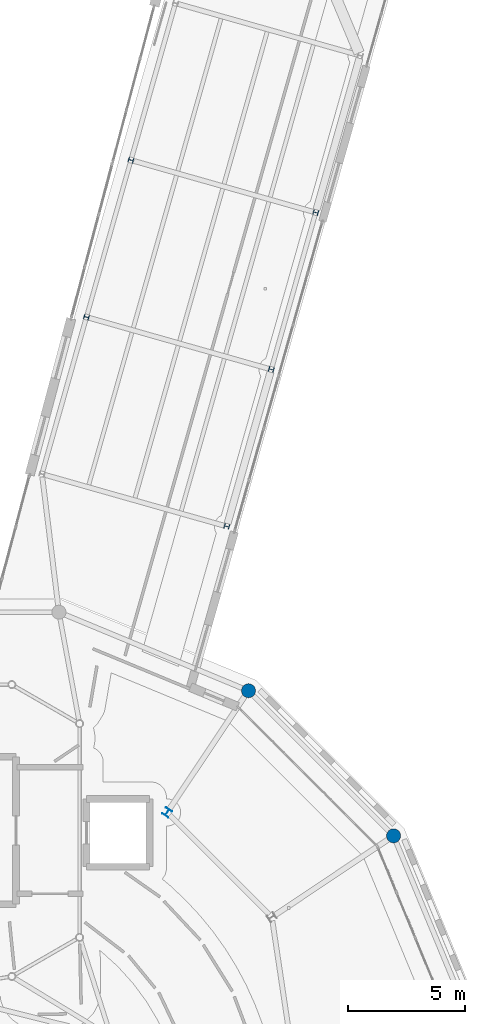
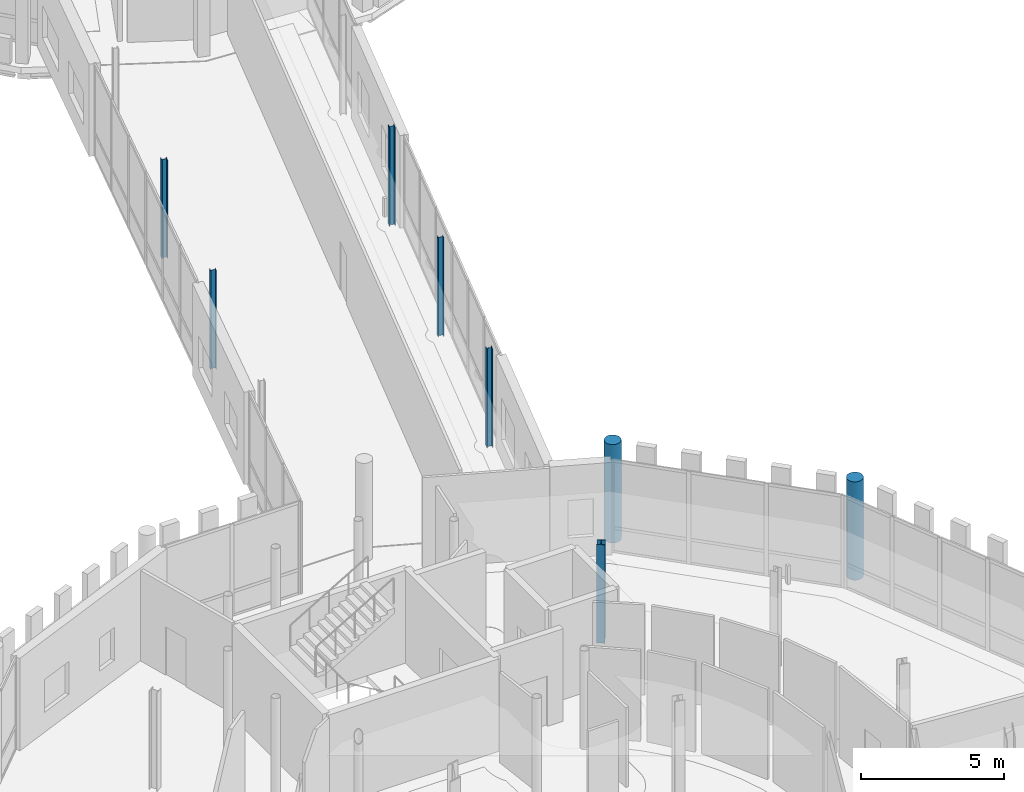
# One storey, part 21 of 125: 8 columns.
"""IFC4 building model written with IfcOpenShell, lengths in metres."""

from ifc_helpers import new_model, si_unit, direction, frame, origin, origin_2d, place, context, subcontext, project, spatial, circle, i_section, extrude, material, material_profile, profile_set, type_object, element, save


model = new_model("IFC4")

# Units and contexts
model_context = context("Model", 3, precision=1e-05, world=origin(), true_north=direction((0.0, 1.0)))
body_context = subcontext(model_context, "Body", "Model", "MODEL_VIEW")
ifc_project = project(units=[si_unit("LENGTHUNIT", "METRE"), si_unit("AREAUNIT", "SQUARE_METRE"), si_unit("VOLUMEUNIT", "CUBIC_METRE"), si_unit("PLANEANGLEUNIT", "RADIAN"), si_unit("MASSUNIT", "GRAM", prefix="KILO")], contexts=[model_context])

# Site, building, storey
site_placement = place(None, origin())
site = spatial("IfcSite", under=ifc_project, at=site_placement, CompositionType="ELEMENT")
building_placement = place(site_placement, origin())
building = spatial("IfcBuilding", under=site, at=building_placement, Name="Wrenclough Park School", CompositionType="ELEMENT")
storey_placement = place(building_placement, frame((0.0, 0.0, 4.199951171875)))
storey = spatial("IfcBuildingStorey", under=building, at=storey_placement, Name="L01", CompositionType="ELEMENT", Elevation=4.199951171875)

# Columns
ifc_material_1 = material(Name="Concrete C40/50", Category="concrete")
ifc_material_profile_1 = material_profile(ifc_material_1, circle(Radius=0.300048828125, at=origin_2d()), Name="RC COL D600")
ifc_profile_set_1 = profile_set([ifc_material_profile_1], Name="Concrete C40/50")
column_type_1 = type_object("IfcColumnType", Name="STR-COL-RCD600", PredefinedType="COLUMN", material=ifc_profile_set_1)
for number, where, z_axis, x_axis, name in (
    (1, (174.16650390625, 38.97265625, 0.0), (0.0, 0.0, 1.0), (-0.55557023302, 0.831469612303, 0.0), "D1 L01 column D1-OUT-02"),
    (2, (167.97265625, 45.16650390625, 0.0), (0.0, 0.0, 1.0), (-0.831469612303, 0.55557023302, 0.0), "D1 L01 column D1-OUT-03"),
):
    element("IfcColumn", number, at=place(storey_placement, frame(where, z_axis=z_axis, x_axis=x_axis)), inside=storey, type_object=column_type_1, Name=name, PredefinedType="COLUMN", context=body_context, shape_type="SweptSolid", body=[
        extrude(circle(Radius=0.300048828125, at=origin_2d()), origin(), (0.0, 0.0, 1.0), 4.199951171875),
    ])
ifc_material_2 = material(Name="Structural steel S355", Category="steel")
ifc_material_profile_2 = material_profile(ifc_material_2, i_section(OverallWidth=0.205810546875, OverallDepth=0.209716796875, WebThickness=0.009521484375, FlangeThickness=0.01416015625, FilletRadius=0.01025390625, at=origin_2d()), Name="UKC 203x203x60")
ifc_profile_set_2 = profile_set([ifc_material_profile_2], Name="Structural steel S355")
column_type_2 = type_object("IfcColumnType", Name="STR-COL-UKC203B", PredefinedType="COLUMN", material=ifc_profile_set_2)
for number, where, z_axis, x_axis, name in (
    (3, (167.04443359375, 52.181396484375, 0.0), (0.0, 0.0, 1.0), (0.272784025857, 0.962075296033, 0.0), "W14 L01 column W14-C1-R04"),
    (4, (161.055419921875, 61.11865234375, 0.0), (0.0, 0.0, 1.0), (0.272784025857, 0.962075296033, 0.0), "W14 L01 column W14-C1-L05"),
    (5, (168.944580078125, 58.88134765625, 0.0), (0.0, 0.0, 1.0), (0.272784025857, 0.962075296033, 0.0), "W14 L01 column W14-C1-R05"),
    (6, (162.95556640625, 67.818603515625, 0.0), (0.0, 0.0, 1.0), (0.272784025857, 0.962075296033, 0.0), "W14 L01 column W14-C1-L06"),
    (7, (170.844482421875, 65.581298828125, 0.0), (0.0, 0.0, 1.0), (0.272784025857, 0.962075296033, 0.0), "W14 L01 column W14-C1-R06"),
):
    element("IfcColumn", number, at=place(storey_placement, frame(where, z_axis=z_axis, x_axis=x_axis)), inside=storey, type_object=column_type_2, Name=name, PredefinedType="COLUMN", context=body_context, shape_type="SweptSolid", body=[
        extrude(i_section(OverallWidth=0.205810546875, OverallDepth=0.209716796875, WebThickness=0.009521484375, FlangeThickness=0.01416015625, FilletRadius=0.01025390625, at=origin_2d()), origin(), (0.0, 0.0, 1.0), 4.199951171875),
    ])
ifc_material_profile_3 = material_profile(ifc_material_2, i_section(OverallWidth=0.307373046875, OverallDepth=0.314453125, WebThickness=0.011962890625, FlangeThickness=0.018798828125, FilletRadius=0.01513671875, at=origin_2d()), Name="UKC 305x305x118")
ifc_profile_set_3 = profile_set([ifc_material_profile_3], Name="Structural steel S355")
column_type_3 = type_object("IfcColumnType", Name="STR-COL-UKC305A", PredefinedType="COLUMN", material=ifc_profile_set_3)
column_placement = place(storey_placement, frame((164.500244140625, 39.9697265625, 0.0), z_axis=(0.0, 0.0, 1.0), x_axis=(-0.831469612303, 0.55557023302, 0.0)))
element("IfcColumn", 8, at=column_placement, inside=storey, type_object=column_type_3, Name="D1 L01 column D1-MID-03", PredefinedType="COLUMN", context=body_context, shape_type="SweptSolid", body=[
    extrude(i_section(OverallWidth=0.307373046875, OverallDepth=0.314453125, WebThickness=0.011962890625, FlangeThickness=0.018798828125, FilletRadius=0.01513671875, at=origin_2d()), origin(), (0.0, 0.0, 1.0), 4.199951171875),
])

save(model, "model.ifc")
